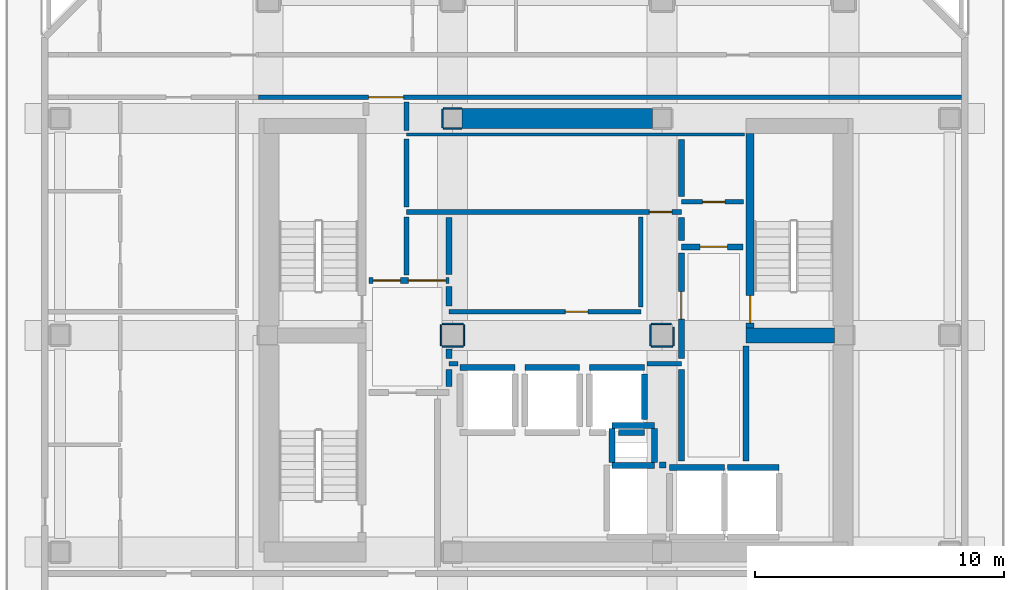
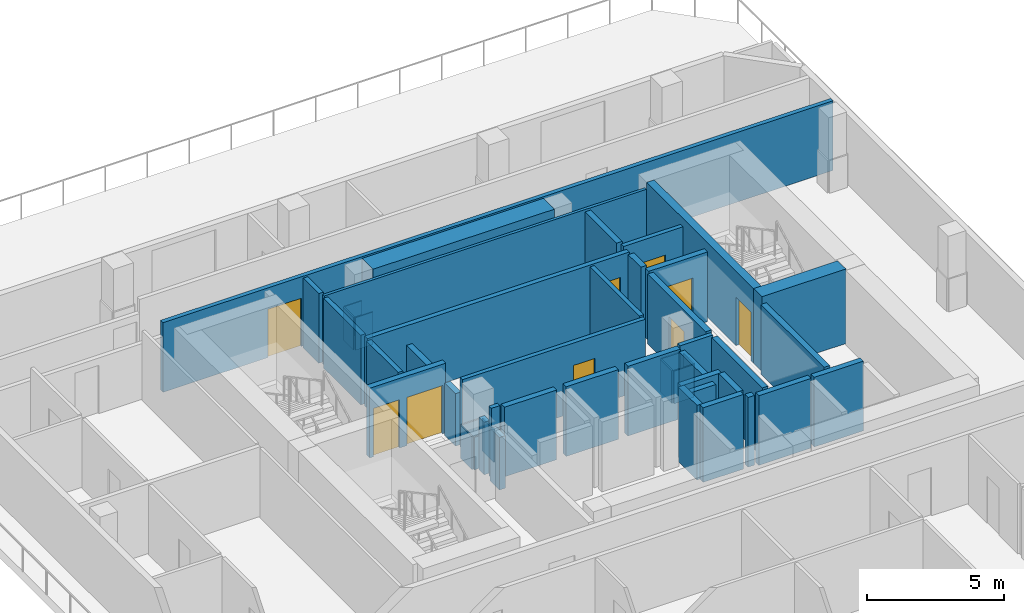
# One storey, part 4 of 10: 48 walls, 9 doors, 9 openings.
"""IFC4 building model written with IfcOpenShell, lengths in metres."""

from ifc_helpers import new_model, si_unit, direction, frame, frame_2d, origin, place, context, subcontext, project, spatial, rectangle, extrude, material, layer, layer_set, type_object, element, fill, save


model = new_model("IFC4")

# Units and contexts
model_context = context("Model", 3, precision=1e-05, world=origin(), true_north=direction((0.0, 1.0)))
body_context = subcontext(model_context, "Body", "Model", "MODEL_VIEW")
ifc_project = project(units=[si_unit("LENGTHUNIT", "METRE"), si_unit("AREAUNIT", "SQUARE_METRE"), si_unit("VOLUMEUNIT", "CUBIC_METRE"), si_unit("PLANEANGLEUNIT", "RADIAN"), si_unit("MASSUNIT", "GRAM", prefix="KILO")], contexts=[model_context])

# Site, building, storey
site_placement = place(None, origin())
site = spatial("IfcSite", under=ifc_project, at=site_placement, CompositionType="ELEMENT")
building_placement = place(site_placement, origin())
building = spatial("IfcBuilding", under=site, at=building_placement, Name="Solanera Arch Residences", CompositionType="ELEMENT")
storey_placement = place(building_placement, frame((0.0, 0.0, 190.159912109375)))
storey = spatial("IfcBuildingStorey", under=building, at=storey_placement, Name="L55", CompositionType="ELEMENT", Elevation=190.159912109375)

# Walls
ifc_material_1 = material(Name="Fire-Rated Gypsum Stud Partition", Category="gypsum")
ifc_layer_1 = layer(ifc_material_1, 0.06005859375)
ifc_layer_set_1 = layer_set([ifc_layer_1], Name="Fire-Rated Gypsum Stud Partition")
wall_type_1 = type_object("IfcWallType", Name="Column Acoustic Furring Wall 60", PredefinedType="PARTITIONING", material=ifc_layer_set_1)
for number, where, z_axis, x_axis, name in (
    (1, (20.425048828125, 38.992919921875, 0.0), (0.0, 0.0, 1.0), (1.0, 0.0, 0.0), "L55 Column Furring 3S"),
    (2, (20.425048828125, 39.806884765625, 0.0), (0.0, 0.0, 1.0), (1.0, 0.0, 0.0), "L55 Column Furring 3N"),
):
    element("IfcWall", number, at=place(storey_placement, frame(where, z_axis=z_axis, x_axis=x_axis)), inside=storey, type_object=wall_type_1, Name=name, PredefinedType="PARTITIONING", context=body_context, shape_type="SweptSolid", body=[
        extrude(rectangle(XDim=0.741943359375, YDim=0.06005859375, at=frame_2d((0.37109375, 0.0))), origin(), (0.0, 0.0, 1.0), 1.4501953125),
    ])
wall_1_placement = place(storey_placement, frame((20.39306640625, 39.02490234375, 0.0), z_axis=(0.0, 0.0, 1.0), x_axis=(0.0, 1.0, 0.0)))
element("IfcWall", 3, at=wall_1_placement, inside=storey, type_object=wall_type_1, Name="L55 Column Furring 3W", PredefinedType="PARTITIONING", context=body_context, shape_type="SweptSolid", body=[
    extrude(rectangle(XDim=0.75, YDim=0.06005859375, at=frame_2d((0.375, 0.0))), origin(), (0.0, 0.0, 1.0), 1.4501953125),
])
for number, where, z_axis, x_axis, name in (
    (4, (20.375, 30.242919921875, 0.0), (0.0, 0.0, 1.0), (1.0, 0.0, 0.0), "L55 Column Furring 7S"),
    (5, (20.375, 31.156982421875, 0.0), (0.0, 0.0, 1.0), (1.0, 0.0, 0.0), "L55 Column Furring 7N"),
    (6, (20.343017578125, 30.27490234375, 0.0), (0.0, 0.0, 1.0), (0.0, 1.0, 0.0), "L55 Column Furring 7W"),
    (7, (21.257080078125, 30.27490234375, 0.0), (0.0, 0.0, 1.0), (0.0, 1.0, 0.0), "L55 Column Furring 7E"),
    (8, (28.77490234375, 30.242919921875, 0.0), (0.0, 0.0, 1.0), (1.0, 0.0, 0.0), "L55 Column Furring 8S"),
):
    element("IfcWall", number, at=place(storey_placement, frame(where, z_axis=z_axis, x_axis=x_axis)), inside=storey, type_object=wall_type_1, Name=name, PredefinedType="PARTITIONING", context=body_context, shape_type="SweptSolid", body=[
        extrude(rectangle(XDim=0.85009765625, YDim=0.06005859375, at=frame_2d((0.425048828125, 0.0))), origin(), (0.0, 0.0, 1.0), 1.4501953125),
    ])
wall_2_placement = place(storey_placement, frame((28.77490234375, 31.156982421875, 0.0), z_axis=(0.0, 0.0, 1.0), x_axis=(1.0, 0.0, 0.0)))
element("IfcWall", 9, at=wall_2_placement, inside=storey, type_object=wall_type_1, Name="L55 Column Furring 8N", PredefinedType="PARTITIONING", context=body_context, shape_type="SweptSolid", body=[
    extrude(rectangle(XDim=0.794189453125, YDim=0.06005859375, at=frame_2d((0.39697265625, 0.0))), origin(), (0.0, 0.0, 1.0), 1.4501953125),
])
wall_3_placement = place(storey_placement, frame((28.742919921875, 30.27490234375, 0.0), z_axis=(0.0, 0.0, 1.0), x_axis=(0.0, 1.0, 0.0)))
element("IfcWall", 10, at=wall_3_placement, inside=storey, type_object=wall_type_1, Name="L55 Column Furring 8W", PredefinedType="PARTITIONING", context=body_context, shape_type="SweptSolid", body=[
    extrude(rectangle(XDim=0.85009765625, YDim=0.06005859375, at=frame_2d((0.425048828125, 0.0))), origin(), (0.0, 0.0, 1.0), 1.4501953125),
])
wall_4_placement = place(storey_placement, frame((29.656982421875, 30.27490234375, 0.0), z_axis=(0.0, 0.0, 1.0), x_axis=(0.0, 1.0, 0.0)))
element("IfcWall", 11, at=wall_4_placement, inside=storey, type_object=wall_type_1, Name="L55 Column Furring 8E", PredefinedType="PARTITIONING", context=body_context, shape_type="SweptSolid", body=[
    extrude(rectangle(XDim=0.757080078125, YDim=0.06005859375, at=frame_2d((0.37841796875, 0.0))), origin(), (0.0, 0.0, 1.0), 1.4501953125),
])

# Wall, opening, door
ifc_material_2 = material(Name="Concrete C40/50 (f'c = 45 MPa)", Category="concrete")
ifc_layer_2 = layer(ifc_material_2, 0.320068359375)
ifc_layer_set_2 = layer_set([ifc_layer_2], Name="Concrete C40/50 (f'c = 45 MPa)")
wall_type_2 = type_object("IfcWallType", Name="Core Shear Wall CW-320", PredefinedType="SHEAR", material=ifc_layer_set_2)
wall_5_placement = place(storey_placement, frame((32.739990234375, 31.0, 0.0), z_axis=(0.0, 0.0, 1.0), x_axis=(0.0, 1.0, 0.0)))
wall_5 = element("IfcWall", 12, at=wall_5_placement, inside=storey, type_object=wall_type_2, Name="L55 Stair ST-T2 West Shear Wall", PredefinedType="SHEAR", context=body_context, shape_type="SweptSolid", body=[
    extrude(rectangle(XDim=7.800048828125, YDim=0.320068359375, at=frame_2d((3.89990234375, 0.0))), origin(), (0.0, 0.0, 1.0), 3.320068359375),
])
opening_1_placement = place(wall_5_placement, frame((0.18994140625, 0.0, 0.0)))
opening_1 = element("IfcOpeningElement", 13, at=opening_1_placement, cuts=wall_5, Name="Opening DF-01", PredefinedType="OPENING", context=body_context, shape_type="SweptSolid", body=[
    extrude(rectangle(XDim=1.10009765625, YDim=2.14990234375, at=frame_2d((0.550048828125, 1.074951171875))), frame((0.0, 0.169921875, 0.0), z_axis=(0.0, -1.0, 0.0), x_axis=(1.0, 0.0, 0.0)), (0.0, 0.0, 1.0), 0.3401),
])
ifc_material_3 = material(Name="Fire-Rated Architectural Hardwood", Category="wood")
door_type_1 = type_object("IfcDoorType", Name="Stair Exit Fire Door DF-01", OperationType="NOTDEFINED", PredefinedType="DOOR", material=ifc_material_3)
door_1_placement = place(opening_1_placement, origin())
door_1 = element("IfcDoor", 14, at=door_1_placement, inside=storey, type_object=door_type_1, Name="DR-L55-STAIR-ST-T2", OperationType="SINGLE_SWING_LEFT", OverallHeight=2.14990234375, OverallWidth=1.10009765625, PredefinedType="DOOR", context=body_context, shape_type="SweptSolid", body=[
    extrude(rectangle(XDim=1.10009765625, YDim=2.14990234375, at=frame_2d((0.550048828125, 1.074951171875))), frame((0.0, 0.02490234375, 0.0), z_axis=(0.0, -1.0, 0.0), x_axis=(1.0, 0.0, 0.0)), (0.0, 0.0, 1.0), 0.050048828125),
])
fill(opening_1, door_1)

# Walls
ifc_material_4 = material(Name="Concrete C40/50 (f'c = 45 MPa)", Category="concrete")
ifc_layer_3 = layer(ifc_material_4, 0.60009765625)
ifc_layer_set_3 = layer_set([ifc_layer_3], Name="Concrete C40/50 (f'c = 45 MPa)")
wall_type_3 = type_object("IfcWallType", Name="Core Shear Wall CW-600", PredefinedType="SHEAR", material=ifc_layer_set_3)
wall_6_placement = place(storey_placement, frame((32.580078125, 30.699951171875, 0.0), z_axis=(0.0, 0.0, 1.0), x_axis=(1.0, 0.0, 0.0)))
element("IfcWall", 15, at=wall_6_placement, inside=storey, type_object=wall_type_3, Name="L55 East Stair Far-Landing Shear Wall", PredefinedType="SHEAR", context=body_context, shape_type="SweptSolid", body=[
    extrude(rectangle(XDim=3.5400390625, YDim=0.60009765625, at=frame_2d((1.77001953125, 0.0))), origin(), (0.0, 0.0, 1.0), 3.320068359375),
])
ifc_material_5 = material(Name="Concrete C40/50 (f'c = 45 MPa)", Category="concrete")
ifc_layer_4 = layer(ifc_material_5, 0.800048828125)
ifc_layer_set_4 = layer_set([ifc_layer_4], Name="Concrete C40/50 (f'c = 45 MPa)")
wall_type_4 = type_object("IfcWallType", Name="Core Shear Wall CW-800", PredefinedType="SHEAR", material=ifc_layer_set_4)
wall_7_placement = place(storey_placement, frame((21.179931640625, 39.39990234375, 0.0), z_axis=(0.0, 0.0, 1.0), x_axis=(1.0, 0.0, 0.0)))
element("IfcWall", 16, at=wall_7_placement, inside=storey, type_object=wall_type_4, Name="L55 Central North Core Shear Wall", PredefinedType="SHEAR", context=body_context, shape_type="SweptSolid", body=[
    extrude(rectangle(XDim=7.64013671875, YDim=0.800048828125, at=frame_2d((3.820068359375, 0.0))), origin(), (0.0, 0.0, 1.0), 3.320068359375),
])
ifc_material_6 = material(Name="Autoclaved Aerated Concrete Blockwork", Category="masonry")
ifc_layer_5 = layer(ifc_material_6, 0.179931640625)
ifc_layer_set_5 = layer_set([ifc_layer_5], Name="Autoclaved Aerated Concrete Blockwork")
wall_type_5 = type_object("IfcWallType", Name="Corridor Fire Partition 180", PredefinedType="PARTITIONING", material=ifc_layer_set_5)
wall_8_placement = place(storey_placement, frame((20.64990234375, 29.550048828125, 0.0), z_axis=(0.0, 0.0, 1.0), x_axis=(1.0, 0.0, 0.0)))
element("IfcWall", 17, at=wall_8_placement, inside=storey, type_object=wall_type_5, Name="L55 Interior Partition H8 1", PredefinedType="PARTITIONING", context=body_context, shape_type="SweptSolid", body=[
    extrude(rectangle(XDim=0.357177734375, YDim=0.179931640625, at=frame_2d((0.1787109375, 0.0))), origin(), (0.0, 0.0, 1.0), 3.10009765625),
])
wall_9_placement = place(storey_placement, frame((28.593017578125, 29.550048828125, 0.0), z_axis=(0.0, 0.0, 1.0), x_axis=(1.0, 0.0, 0.0)))
element("IfcWall", 18, at=wall_9_placement, inside=storey, type_object=wall_type_5, Name="L55 Interior Partition H8 2", PredefinedType="PARTITIONING", context=body_context, shape_type="SweptSolid", body=[
    extrude(rectangle(XDim=1.382080078125, YDim=0.179931640625, at=frame_2d((0.69091796875, 0.0))), origin(), (0.0, 0.0, 1.0), 3.10009765625),
])

# Wall, opening, door
wall_10_placement = place(storey_placement, frame((20.64990234375, 31.64990234375, 0.0), z_axis=(0.0, 0.0, 1.0), x_axis=(1.0, 0.0, 0.0)))
wall_10 = element("IfcWall", 19, at=wall_10_placement, inside=storey, type_object=wall_type_5, Name="L55 Interior Partition H10", PredefinedType="PARTITIONING", context=body_context, shape_type="SweptSolid", body=[
    extrude(rectangle(XDim=7.7001953125, YDim=0.179931640625, at=frame_2d((3.85009765625, 0.0))), origin(), (0.0, 0.0, 1.0), 3.10009765625),
])
opening_2_placement = place(wall_10_placement, frame((4.673095703125, 0.0, 0.0)))
opening_2 = element("IfcOpeningElement", 20, at=opening_2_placement, cuts=wall_10, Name="Opening DI-02", PredefinedType="OPENING", context=body_context, shape_type="SweptSolid", body=[
    extrude(rectangle(XDim=0.89990234375, YDim=2.10009765625, at=frame_2d((0.449951171875, 1.050048828125))), frame((0.0, 0.10009765625, 0.0), z_axis=(0.0, -1.0, 0.0), x_axis=(1.0, 0.0, 0.0)), (0.0, 0.0, 1.0), 0.1999),
])
ifc_material_7 = material(Name="Fire-Rated Architectural Hardwood", Category="wood")
door_type_2 = type_object("IfcDoorType", Name="Suite Room Swing Door DI-02", OperationType="NOTDEFINED", PredefinedType="DOOR", material=ifc_material_7)
door_2_placement = place(opening_2_placement, origin())
door_2 = element("IfcDoor", 21, at=door_2_placement, inside=storey, type_object=door_type_2, Name="DR-L55-IN-013", OperationType="SINGLE_SWING_RIGHT", OverallHeight=2.10009765625, OverallWidth=0.89990234375, PredefinedType="DOOR", context=body_context, shape_type="SweptSolid", body=[
    extrude(rectangle(XDim=0.89990234375, YDim=2.10009765625, at=frame_2d((0.449951171875, 1.050048828125))), frame((0.0, 0.02490234375, 0.0), z_axis=(0.0, -1.0, 0.0), x_axis=(1.0, 0.0, 0.0)), (0.0, 0.0, 1.0), 0.050048828125),
])
fill(opening_2, door_2)

wall_11_placement = place(storey_placement, frame((29.97509765625, 36.050048828125, 0.0), z_axis=(0.0, 0.0, 1.0), x_axis=(1.0, 0.0, 0.0)))
wall_11 = element("IfcWall", 22, at=wall_11_placement, inside=storey, type_object=wall_type_5, Name="L55 Interior Partition H11", PredefinedType="PARTITIONING", context=body_context, shape_type="SweptSolid", body=[
    extrude(rectangle(XDim=2.5048828125, YDim=0.179931640625, at=frame_2d((1.25244140625, 0.0))), origin(), (0.0, 0.0, 1.0), 3.10009765625),
])
opening_3_placement = place(wall_11_placement, frame((0.85205078125, 0.0, 0.0)))
opening_3 = element("IfcOpeningElement", 23, at=opening_3_placement, cuts=wall_11, Name="Opening DI-02", PredefinedType="OPENING", context=body_context, shape_type="SweptSolid", body=[
    extrude(rectangle(XDim=0.89990234375, YDim=2.10009765625, at=frame_2d((0.449951171875, 1.050048828125))), frame((0.0, 0.10009765625, 0.0), z_axis=(0.0, -1.0, 0.0), x_axis=(1.0, 0.0, 0.0)), (0.0, 0.0, 1.0), 0.1999),
])
door_3_placement = place(opening_3_placement, origin())
door_3 = element("IfcDoor", 24, at=door_3_placement, inside=storey, type_object=door_type_2, Name="DR-L55-IN-011", OperationType="SINGLE_SWING_RIGHT", OverallHeight=2.10009765625, OverallWidth=0.89990234375, PredefinedType="DOOR", context=body_context, shape_type="SweptSolid", body=[
    extrude(rectangle(XDim=0.89990234375, YDim=2.10009765625, at=frame_2d((0.449951171875, 1.050048828125))), frame((0.0, 0.02490234375, 0.0), z_axis=(0.0, -1.0, 0.0), x_axis=(1.0, 0.0, 0.0)), (0.0, 0.0, 1.0), 0.050048828125),
])
fill(opening_3, door_3)

wall_12_placement = place(storey_placement, frame((13.011962890625, 40.25, 0.0), z_axis=(0.0, 0.0, 1.0), x_axis=(1.0, 0.0, 0.0)))
wall_12 = element("IfcWall", 25, at=wall_12_placement, inside=storey, type_object=wall_type_5, Name="L55 Interior Partition H12 3", PredefinedType="PARTITIONING", context=body_context, shape_type="SweptSolid", body=[
    extrude(rectangle(XDim=28.200927734375, YDim=0.179931640625, at=frame_2d((14.1005859375, 0.0))), origin(), (0.0, 0.0, 1.0), 3.10009765625),
])
opening_4_placement = place(wall_12_placement, frame((4.423095703125, 0.0, 0.0)))
opening_4 = element("IfcOpeningElement", 26, at=opening_4_placement, cuts=wall_12, Name="Opening DF-03", PredefinedType="OPENING", context=body_context, shape_type="SweptSolid", body=[
    extrude(rectangle(XDim=1.39990234375, YDim=2.14990234375, at=frame_2d((0.699951171875, 1.074951171875))), frame((0.0, 0.10009765625, 0.0), z_axis=(0.0, -1.0, 0.0), x_axis=(1.0, 0.0, 0.0)), (0.0, 0.0, 1.0), 0.1999),
])
ifc_material_8 = material(Name="Fire-Rated Architectural Hardwood", Category="wood")
door_type_3 = type_object("IfcDoorType", Name="Corridor Smoke Door DF-03", OperationType="NOTDEFINED", PredefinedType="DOOR", material=ifc_material_8)
door_4_placement = place(opening_4_placement, origin())
door_4 = element("IfcDoor", 27, at=door_4_placement, inside=storey, type_object=door_type_3, Name="DR-L55-IN-009", OperationType="SINGLE_SWING_RIGHT", OverallHeight=2.14990234375, OverallWidth=1.39990234375, PredefinedType="DOOR", context=body_context, shape_type="SweptSolid", body=[
    extrude(rectangle(XDim=1.39990234375, YDim=2.14990234375, at=frame_2d((0.699951171875, 1.074951171875))), frame((0.0, 0.02490234375, 0.0), z_axis=(0.0, -1.0, 0.0), x_axis=(1.0, 0.0, 0.0)), (0.0, 0.0, 1.0), 0.050048828125),
])
fill(opening_4, door_4)

# Wall
wall_13_placement = place(storey_placement, frame((28.35009765625, 31.837890625, 0.0), z_axis=(0.0, 0.0, 1.0), x_axis=(0.0, 1.0, 0.0)))
element("IfcWall", 28, at=wall_13_placement, inside=storey, type_object=wall_type_5, Name="L55 Interior Partition V8", PredefinedType="PARTITIONING", context=body_context, shape_type="SweptSolid", body=[
    extrude(rectangle(XDim=3.614013671875, YDim=0.179931640625, at=frame_2d((1.80712890625, 0.0))), origin(), (0.0, 0.0, 1.0), 3.10009765625),
])

# Wall, opening, door
ifc_material_9 = material(Name="Autoclaved Aerated Concrete Blockwork", Category="masonry")
ifc_layer_6 = layer(ifc_material_9, 0.199951171875)
ifc_layer_set_6 = layer_set([ifc_layer_6], Name="Autoclaved Aerated Concrete Blockwork")
wall_type_6 = type_object("IfcWallType", Name="Party Wall Acoustic 200", PredefinedType="PARTITIONING", material=ifc_layer_set_6)
wall_14_placement = place(storey_placement, frame((18.949951171875, 35.64990234375, 0.0), z_axis=(0.0, 0.0, 1.0), x_axis=(1.0, 0.0, 0.0)))
wall_14 = element("IfcWall", 29, at=wall_14_placement, inside=storey, type_object=wall_type_6, Name="L55 Interior Partition H6", PredefinedType="PARTITIONING", context=body_context, shape_type="SweptSolid", body=[
    extrude(rectangle(XDim=11.025146484375, YDim=0.199951171875, at=frame_2d((5.5126953125, 0.0))), origin(), (0.0, 0.0, 1.0), 3.10009765625),
])
opening_5_placement = place(wall_14_placement, frame((9.7490234375, 0.0, 0.0)))
opening_5 = element("IfcOpeningElement", 30, at=opening_5_placement, cuts=wall_14, Name="Opening DI-02", PredefinedType="OPENING", context=body_context, shape_type="SweptSolid", body=[
    extrude(rectangle(XDim=0.89990234375, YDim=2.10009765625, at=frame_2d((0.449951171875, 1.050048828125))), frame((0.0, 0.110107421875, 0.0), z_axis=(0.0, -1.0, 0.0), x_axis=(1.0, 0.0, 0.0)), (0.0, 0.0, 1.0), 0.22),
])
door_5_placement = place(opening_5_placement, origin())
door_5 = element("IfcDoor", 31, at=door_5_placement, inside=storey, type_object=door_type_2, Name="DR-L55-IN-012", OperationType="SINGLE_SWING_LEFT", OverallHeight=2.10009765625, OverallWidth=0.89990234375, PredefinedType="DOOR", context=body_context, shape_type="SweptSolid", body=[
    extrude(rectangle(XDim=0.89990234375, YDim=2.10009765625, at=frame_2d((0.449951171875, 1.050048828125))), frame((0.0, 0.02490234375, 0.0), z_axis=(0.0, -1.0, 0.0), x_axis=(1.0, 0.0, 0.0)), (0.0, 0.0, 1.0), 0.050048828125),
])
fill(opening_5, door_5)

# Walls
wall_15_placement = place(storey_placement, frame((18.949951171875, 33.1279296875, 0.0), z_axis=(0.0, 0.0, 1.0), x_axis=(0.0, 1.0, 0.0)))
element("IfcWall", 32, at=wall_15_placement, inside=storey, type_object=wall_type_6, Name="L55 Interior Partition V6 1", PredefinedType="PARTITIONING", context=body_context, shape_type="SweptSolid", body=[
    extrude(rectangle(XDim=2.31396484375, YDim=0.199951171875, at=frame_2d((1.156982421875, 0.0))), origin(), (0.0, 0.0, 1.0), 3.10009765625),
])
wall_16_placement = place(storey_placement, frame((18.949951171875, 35.85791015625, 0.0), z_axis=(0.0, 0.0, 1.0), x_axis=(0.0, 1.0, 0.0)))
element("IfcWall", 33, at=wall_16_placement, inside=storey, type_object=wall_type_6, Name="L55 Interior Partition V6 2", PredefinedType="PARTITIONING", context=body_context, shape_type="SweptSolid", body=[
    extrude(rectangle(XDim=2.72412109375, YDim=0.199951171875, at=frame_2d((1.362060546875, 0.0))), origin(), (0.0, 0.0, 1.0), 3.10009765625),
])
wall_17_placement = place(storey_placement, frame((18.949951171875, 38.91796875, 0.0), z_axis=(0.0, 0.0, 1.0), x_axis=(0.0, 1.0, 0.0)))
element("IfcWall", 34, at=wall_17_placement, inside=storey, type_object=wall_type_6, Name="L55 Interior Partition V6 3", PredefinedType="PARTITIONING", context=body_context, shape_type="SweptSolid", body=[
    extrude(rectangle(XDim=1.134033203125, YDim=0.199951171875, at=frame_2d((0.56689453125, 0.0))), origin(), (0.0, 0.0, 1.0), 3.10009765625),
])
ifc_material_10 = material(Name="Concrete C40/50 (f'c = 45 MPa)", Category="concrete")
ifc_layer_7 = layer(ifc_material_10, 0.239990234375)
ifc_layer_set_7 = layer_set([ifc_layer_7], Name="Concrete C40/50 (f'c = 45 MPa)")
wall_type_7 = type_object("IfcWallType", Name="Ramp Bearing Shear Wall RW-240", PredefinedType="SHEAR", material=ifc_layer_set_7)
for number, where, z_axis, x_axis, name in (
    (35, (27.199951171875, 25.47998046875, 0.0), (0.0, 0.0, 1.0), (1.0, 0.0, 0.0), "L55 Core MEP Riser South Shaft Wall"),
    (36, (27.199951171875, 27.080078125, 0.0), (0.0, 0.0, 1.0), (1.0, 0.0, 0.0), "L55 Core MEP Riser North Shaft Wall"),
):
    element("IfcWall", number, at=place(storey_placement, frame(where, z_axis=z_axis, x_axis=x_axis)), inside=storey, type_object=wall_type_7, Name=name, PredefinedType="SHEAR", context=body_context, shape_type="SweptSolid", body=[
        extrude(rectangle(XDim=1.699951171875, YDim=0.239990234375, at=frame_2d((0.85009765625, 0.0))), origin(), (0.0, 0.0, 1.0), 3.320068359375),
    ])
for number, where, z_axis, x_axis, name in (
    (37, (27.199951171875, 25.60009765625, 0.0), (0.0, 0.0, 1.0), (0.0, 1.0, 0.0), "L55 Core MEP Riser West Shaft Wall"),
    (38, (28.89990234375, 25.60009765625, 0.0), (0.0, 0.0, 1.0), (0.0, 1.0, 0.0), "L55 Core MEP Riser East Shaft Wall"),
):
    element("IfcWall", number, at=place(storey_placement, frame(where, z_axis=z_axis, x_axis=x_axis)), inside=storey, type_object=wall_type_7, Name=name, PredefinedType="SHEAR", context=body_context, shape_type="SweptSolid", body=[
        extrude(rectangle(XDim=1.35986328125, YDim=0.239990234375, at=frame_2d((0.679931640625, 0.0))), origin(), (0.0, 0.0, 1.0), 3.320068359375),
    ])
ifc_material_11 = material(Name="Autoclaved Aerated Concrete Blockwork", Category="masonry")
ifc_layer_8 = layer(ifc_material_11, 0.239990234375)
ifc_layer_set_8 = layer_set([ifc_layer_8], Name="Autoclaved Aerated Concrete Blockwork")
wall_type_8 = type_object("IfcWallType", Name="Shaft Wall Fire-Rated 240", PredefinedType="PARTITIONING", material=ifc_layer_set_8)
for number, where, z_axis, x_axis, name in (
    (39, (21.10009765625, 29.39990234375, 0.0), (0.0, 0.0, 1.0), (1.0, 0.0, 0.0), "L55 Lift PL-H1 Hoistway Wall N"),
    (40, (23.699951171875, 29.39990234375, 0.0), (0.0, 0.0, 1.0), (1.0, 0.0, 0.0), "L55 Lift PL-H2 Hoistway Wall N"),
):
    element("IfcWall", number, at=place(storey_placement, frame(where, z_axis=z_axis, x_axis=x_axis)), inside=storey, type_object=wall_type_8, Name=name, PredefinedType="PARTITIONING", context=body_context, shape_type="SweptSolid", body=[
        extrude(rectangle(XDim=2.199951171875, YDim=0.239990234375, at=frame_2d((1.10009765625, 0.0))), origin(), (0.0, 0.0, 1.0), 3.10009765625),
    ])
wall_18_placement = place(storey_placement, frame((27.449951171875, 26.800048828125, 0.0), z_axis=(0.0, 0.0, 1.0), x_axis=(1.0, 0.0, 0.0)))
element("IfcWall", 41, at=wall_18_placement, inside=storey, type_object=wall_type_8, Name="L55 Lift PL-H3 Hoistway Wall S 2", PredefinedType="PARTITIONING", context=body_context, shape_type="SweptSolid", body=[
    extrude(rectangle(XDim=1.050048828125, YDim=0.239990234375, at=frame_2d((0.52490234375, 0.0))), origin(), (0.0, 0.0, 1.0), 3.10009765625),
])
wall_19_placement = place(storey_placement, frame((26.300048828125, 29.39990234375, 0.0), z_axis=(0.0, 0.0, 1.0), x_axis=(1.0, 0.0, 0.0)))
element("IfcWall", 42, at=wall_19_placement, inside=storey, type_object=wall_type_8, Name="L55 Lift PL-H3 Hoistway Wall N", PredefinedType="PARTITIONING", context=body_context, shape_type="SweptSolid", body=[
    extrude(rectangle(XDim=2.199951171875, YDim=0.239990234375, at=frame_2d((1.10009765625, 0.0))), origin(), (0.0, 0.0, 1.0), 3.10009765625),
])
wall_20_placement = place(storey_placement, frame((28.5, 27.330078125, 0.0), z_axis=(0.0, 0.0, 1.0), x_axis=(0.0, 1.0, 0.0)))
element("IfcWall", 43, at=wall_20_placement, inside=storey, type_object=wall_type_8, Name="L55 Lift PL-H3 Hoistway Wall E", PredefinedType="PARTITIONING", context=body_context, shape_type="SweptSolid", body=[
    extrude(rectangle(XDim=1.822021484375, YDim=0.239990234375, at=frame_2d((0.9111328125, 0.0))), origin(), (0.0, 0.0, 1.0), 3.10009765625),
])
wall_21_placement = place(storey_placement, frame((29.5, 25.39990234375, 0.0), z_axis=(0.0, 0.0, 1.0), x_axis=(1.0, 0.0, 0.0)))
element("IfcWall", 44, at=wall_21_placement, inside=storey, type_object=wall_type_8, Name="L55 Lift FFL-1 Hoistway Wall N", PredefinedType="PARTITIONING", context=body_context, shape_type="SweptSolid", body=[
    extrude(rectangle(XDim=2.199951171875, YDim=0.239990234375, at=frame_2d((1.10009765625, 0.0))), origin(), (0.0, 0.0, 1.0), 3.10009765625),
])
wall_22_placement = place(storey_placement, frame((31.827880859375, 25.39990234375, 0.0), z_axis=(0.0, 0.0, 1.0), x_axis=(1.0, 0.0, 0.0)))
element("IfcWall", 45, at=wall_22_placement, inside=storey, type_object=wall_type_8, Name="L55 Lift FFL-2 Hoistway Wall N", PredefinedType="PARTITIONING", context=body_context, shape_type="SweptSolid", body=[
    extrude(rectangle(XDim=2.072021484375, YDim=0.239990234375, at=frame_2d((1.0361328125, 0.0))), origin(), (0.0, 0.0, 1.0), 3.10009765625),
])
wall_23_placement = place(storey_placement, frame((29.10302734375, 25.5, 0.0), z_axis=(0.0, 0.0, 1.0), x_axis=(1.0, 0.0, 0.0)))
element("IfcWall", 46, at=wall_23_placement, inside=storey, type_object=wall_type_8, Name="L55 Lift SVL-1 Hoistway Wall N", PredefinedType="PARTITIONING", context=body_context, shape_type="SweptSolid", body=[
    extrude(rectangle(XDim=0.26904296875, YDim=0.239990234375, at=frame_2d((0.134521484375, 0.0))), origin(), (0.0, 0.0, 1.0), 3.10009765625),
])

# Wall, openings, doors
wall_24_placement = place(storey_placement, frame((17.449951171875, 32.89990234375, 0.0), z_axis=(0.0, 0.0, 1.0), x_axis=(1.0, 0.0, 0.0)))
wall_24 = element("IfcWall", 47, at=wall_24_placement, inside=storey, type_object=wall_type_8, Name="L55 Interior Partition H4", PredefinedType="PARTITIONING", context=body_context, shape_type="SweptSolid", body=[
    extrude(rectangle(XDim=3.199951171875, YDim=0.239990234375, at=frame_2d((1.60009765625, 0.0))), origin(), (0.0, 0.0, 1.0), 3.10009765625),
])
opening_6_placement = place(wall_24_placement, frame((0.158935546875, 0.0, 0.0)))
opening_6 = element("IfcOpeningElement", 48, at=opening_6_placement, cuts=wall_24, Name="Opening DF-02", PredefinedType="OPENING", context=body_context, shape_type="SweptSolid", body=[
    extrude(rectangle(XDim=1.10009765625, YDim=2.14990234375, at=frame_2d((0.550048828125, 1.074951171875))), frame((0.0, 0.1298828125, 0.0), z_axis=(0.0, -1.0, 0.0), x_axis=(1.0, 0.0, 0.0)), (0.0, 0.0, 1.0), 0.26),
])
opening_7_placement = place(wall_24_placement, frame((1.575927734375, 0.0, 0.0)))
opening_7 = element("IfcOpeningElement", 49, at=opening_7_placement, cuts=wall_24, Name="Opening DP-01", PredefinedType="OPENING", context=body_context, shape_type="SweptSolid", body=[
    extrude(rectangle(XDim=1.5, YDim=2.14990234375, at=frame_2d((0.75, 1.074951171875))), frame((0.0, 0.1298828125, 0.0), z_axis=(0.0, -1.0, 0.0), x_axis=(1.0, 0.0, 0.0)), (0.0, 0.0, 1.0), 0.26),
])
ifc_material_12 = material(Name="Fire-Rated Architectural Hardwood", Category="wood")
door_type_4 = type_object("IfcDoorType", Name="Firefighting Lobby Fire Door DF-02", OperationType="NOTDEFINED", PredefinedType="DOOR", material=ifc_material_12)
door_6_placement = place(opening_6_placement, origin())
door_6 = element("IfcDoor", 50, at=door_6_placement, inside=storey, type_object=door_type_4, Name="DR-L55-IN-005", OperationType="SINGLE_SWING_RIGHT", OverallHeight=2.14990234375, OverallWidth=1.10009765625, PredefinedType="DOOR", context=body_context, shape_type="SweptSolid", body=[
    extrude(rectangle(XDim=1.10009765625, YDim=2.14990234375, at=frame_2d((0.550048828125, 1.074951171875))), frame((0.0, 0.02490234375, 0.0), z_axis=(0.0, -1.0, 0.0), x_axis=(1.0, 0.0, 0.0)), (0.0, 0.0, 1.0), 0.050048828125),
])
fill(opening_6, door_6)
ifc_material_13 = material(Name="Fire-Rated Architectural Hardwood", Category="wood")
door_type_5 = type_object("IfcDoorType", Name="Plant Double Fire Door DP-01", OperationType="NOTDEFINED", PredefinedType="DOOR", material=ifc_material_13)
door_7_placement = place(opening_7_placement, origin())
door_7 = element("IfcDoor", 51, at=door_7_placement, inside=storey, type_object=door_type_5, Name="DR-L55-IN-010", OperationType="SINGLE_SWING_LEFT", OverallHeight=2.14990234375, OverallWidth=1.5, PredefinedType="DOOR", context=body_context, shape_type="SweptSolid", body=[
    extrude(rectangle(XDim=1.5, YDim=2.14990234375, at=frame_2d((0.75, 1.074951171875))), frame((0.0, 0.02490234375, 0.0), z_axis=(0.0, -1.0, 0.0), x_axis=(1.0, 0.0, 0.0)), (0.0, 0.0, 1.0), 0.050048828125),
])
fill(opening_7, door_7)

# Wall, opening, door
wall_25_placement = place(storey_placement, frame((29.97509765625, 34.25, 0.0), z_axis=(0.0, 0.0, 1.0), x_axis=(1.0, 0.0, 0.0)))
wall_25 = element("IfcWall", 52, at=wall_25_placement, inside=storey, type_object=wall_type_8, Name="L55 Interior Partition H5", PredefinedType="PARTITIONING", context=body_context, shape_type="SweptSolid", body=[
    extrude(rectangle(XDim=2.474853515625, YDim=0.239990234375, at=frame_2d((1.2373046875, 0.0))), origin(), (0.0, 0.0, 1.0), 3.10009765625),
])
opening_8_placement = place(wall_25_placement, frame((0.751953125, 0.0, 0.0)))
opening_8 = element("IfcOpeningElement", 53, at=opening_8_placement, cuts=wall_25, Name="Opening DF-02", PredefinedType="OPENING", context=body_context, shape_type="SweptSolid", body=[
    extrude(rectangle(XDim=1.10009765625, YDim=2.14990234375, at=frame_2d((0.550048828125, 1.074951171875))), frame((0.0, 0.1298828125, 0.0), z_axis=(0.0, -1.0, 0.0), x_axis=(1.0, 0.0, 0.0)), (0.0, 0.0, 1.0), 0.26),
])
door_8_placement = place(opening_8_placement, origin())
door_8 = element("IfcDoor", 54, at=door_8_placement, inside=storey, type_object=door_type_4, Name="DR-L55-IN-007", OperationType="SINGLE_SWING_RIGHT", OverallHeight=2.14990234375, OverallWidth=1.10009765625, PredefinedType="DOOR", context=body_context, shape_type="SweptSolid", body=[
    extrude(rectangle(XDim=1.10009765625, YDim=2.14990234375, at=frame_2d((0.550048828125, 1.074951171875))), frame((0.0, 0.02490234375, 0.0), z_axis=(0.0, -1.0, 0.0), x_axis=(1.0, 0.0, 0.0)), (0.0, 0.0, 1.0), 0.050048828125),
])
fill(opening_8, door_8)

# Walls
wall_26_placement = place(storey_placement, frame((20.64990234375, 28.64794921875, 0.0), z_axis=(0.0, 0.0, 1.0), x_axis=(0.0, 1.0, 0.0)))
element("IfcWall", 55, at=wall_26_placement, inside=storey, type_object=wall_type_8, Name="L55 Interior Partition V3 1", PredefinedType="PARTITIONING", context=body_context, shape_type="SweptSolid", body=[
    extrude(rectangle(XDim=0.68408203125, YDim=0.239990234375, at=frame_2d((0.342041015625, 0.0))), origin(), (0.0, 0.0, 1.0), 2.335205078125),
])
wall_27_placement = place(storey_placement, frame((20.64990234375, 29.76806640625, 0.0), z_axis=(0.0, 0.0, 1.0), x_axis=(0.0, 1.0, 0.0)))
element("IfcWall", 56, at=wall_27_placement, inside=storey, type_object=wall_type_8, Name="L55 Interior Partition V3 2", PredefinedType="PARTITIONING", context=body_context, shape_type="SweptSolid", body=[
    extrude(rectangle(XDim=0.375, YDim=0.239990234375, at=frame_2d((0.1875, 0.0))), origin(), (0.0, 0.0, 1.0), 2.335205078125),
])
wall_28_placement = place(storey_placement, frame((20.64990234375, 31.867919921875, 0.0), z_axis=(0.0, 0.0, 1.0), x_axis=(0.0, 1.0, 0.0)))
element("IfcWall", 57, at=wall_28_placement, inside=storey, type_object=wall_type_8, Name="L55 Interior Partition V3 3", PredefinedType="PARTITIONING", context=body_context, shape_type="SweptSolid", body=[
    extrude(rectangle(XDim=0.7841796875, YDim=0.239990234375, at=frame_2d((0.39208984375, 0.0))), origin(), (0.0, 0.0, 1.0), 2.335205078125),
])
wall_29_placement = place(storey_placement, frame((20.64990234375, 33.14794921875, 0.0), z_axis=(0.0, 0.0, 1.0), x_axis=(0.0, 1.0, 0.0)))
element("IfcWall", 58, at=wall_29_placement, inside=storey, type_object=wall_type_8, Name="L55 Interior Partition V3 4", PredefinedType="PARTITIONING", context=body_context, shape_type="SweptSolid", body=[
    extrude(rectangle(XDim=2.274169921875, YDim=0.239990234375, at=frame_2d((1.13720703125, 0.0))), origin(), (0.0, 0.0, 1.0), 2.335205078125),
])
wall_30_placement = place(storey_placement, frame((29.97509765625, 25.64794921875, 0.0), z_axis=(0.0, 0.0, 1.0), x_axis=(0.0, 1.0, 0.0)))
element("IfcWall", 59, at=wall_30_placement, inside=storey, type_object=wall_type_8, Name="L55 Interior Partition V4 1", PredefinedType="PARTITIONING", context=body_context, shape_type="SweptSolid", body=[
    extrude(rectangle(XDim=3.68408203125, YDim=0.239990234375, at=frame_2d((1.842041015625, 0.0))), origin(), (0.0, 0.0, 1.0), 3.10009765625),
])

# Wall, opening, door
wall_31_placement = place(storey_placement, frame((29.97509765625, 29.76806640625, 0.0), z_axis=(0.0, 0.0, 1.0), x_axis=(0.0, 1.0, 0.0)))
wall_31 = element("IfcWall", 60, at=wall_31_placement, inside=storey, type_object=wall_type_8, Name="L55 Interior Partition V4 2", PredefinedType="PARTITIONING", context=body_context, shape_type="SweptSolid", body=[
    extrude(rectangle(XDim=4.23388671875, YDim=0.239990234375, at=frame_2d((2.116943359375, 0.0))), origin(), (0.0, 0.0, 1.0), 3.10009765625),
])
opening_9_placement = place(wall_31_placement, frame((1.58203125, 0.0, 0.0)))
opening_9 = element("IfcOpeningElement", 61, at=opening_9_placement, cuts=wall_31, Name="Opening DF-02", PredefinedType="OPENING", context=body_context, shape_type="SweptSolid", body=[
    extrude(rectangle(XDim=1.10009765625, YDim=2.14990234375, at=frame_2d((0.550048828125, 1.074951171875))), frame((0.0, 0.1298828125, 0.0), z_axis=(0.0, -1.0, 0.0), x_axis=(1.0, 0.0, 0.0)), (0.0, 0.0, 1.0), 0.26),
])
door_9_placement = place(opening_9_placement, origin())
door_9 = element("IfcDoor", 62, at=door_9_placement, inside=storey, type_object=door_type_4, Name="DR-L55-IN-006", OperationType="SINGLE_SWING_LEFT", OverallHeight=2.14990234375, OverallWidth=1.10009765625, PredefinedType="DOOR", context=body_context, shape_type="SweptSolid", body=[
    extrude(rectangle(XDim=1.10009765625, YDim=2.14990234375, at=frame_2d((0.550048828125, 1.074951171875))), frame((0.0, 0.02490234375, 0.0), z_axis=(0.0, -1.0, 0.0), x_axis=(1.0, 0.0, 0.0)), (0.0, 0.0, 1.0), 0.050048828125),
])
fill(opening_9, door_9)

# Walls
wall_32_placement = place(storey_placement, frame((29.97509765625, 34.498046875, 0.0), z_axis=(0.0, 0.0, 1.0), x_axis=(0.0, 1.0, 0.0)))
element("IfcWall", 63, at=wall_32_placement, inside=storey, type_object=wall_type_8, Name="L55 Interior Partition V4 3", PredefinedType="PARTITIONING", context=body_context, shape_type="SweptSolid", body=[
    extrude(rectangle(XDim=0.924072265625, YDim=0.239990234375, at=frame_2d((0.4619140625, 0.0))), origin(), (0.0, 0.0, 1.0), 3.10009765625),
])
wall_33_placement = place(storey_placement, frame((29.97509765625, 36.26806640625, 0.0), z_axis=(0.0, 0.0, 1.0), x_axis=(0.0, 1.0, 0.0)))
element("IfcWall", 64, at=wall_33_placement, inside=storey, type_object=wall_type_8, Name="L55 Interior Partition V4 4", PredefinedType="PARTITIONING", context=body_context, shape_type="SweptSolid", body=[
    extrude(rectangle(XDim=2.2939453125, YDim=0.239990234375, at=frame_2d((1.14697265625, 0.0))), origin(), (0.0, 0.0, 1.0), 3.10009765625),
])
wall_34_placement = place(storey_placement, frame((32.580078125, 25.64794921875, 0.0), z_axis=(0.0, 0.0, 1.0), x_axis=(0.0, 1.0, 0.0)))
element("IfcWall", 65, at=wall_34_placement, inside=storey, type_object=wall_type_8, Name="L55 Interior Partition V5", PredefinedType="PARTITIONING", context=body_context, shape_type="SweptSolid", body=[
    extrude(rectangle(XDim=4.6220703125, YDim=0.239990234375, at=frame_2d((2.31103515625, 0.0))), origin(), (0.0, 0.0, 1.0), 3.10009765625),
])
ifc_material_14 = material(Name="Fire-Rated Gypsum Stud Partition", Category="gypsum")
ifc_layer_9 = layer(ifc_material_14, 0.1201171875)
ifc_layer_set_9 = layer_set([ifc_layer_9], Name="Fire-Rated Gypsum Stud Partition")
wall_type_9 = type_object("IfcWallType", Name="Unit Drywall Partition 120", PredefinedType="PARTITIONING", material=ifc_layer_set_9)
wall_35_placement = place(storey_placement, frame((18.949951171875, 38.75, 0.0), z_axis=(0.0, 0.0, 1.0), x_axis=(1.0, 0.0, 0.0)))
element("IfcWall", 66, at=wall_35_placement, inside=storey, type_object=wall_type_9, Name="L55 Interior Partition H21", PredefinedType="PARTITIONING", context=body_context, shape_type="SweptSolid", body=[
    extrude(rectangle(XDim=13.56005859375, YDim=0.1201171875, at=frame_2d((6.780029296875, 0.0))), origin(), (0.0, 0.0, 1.0), 3.10009765625),
])

save(model, "model.ifc")
